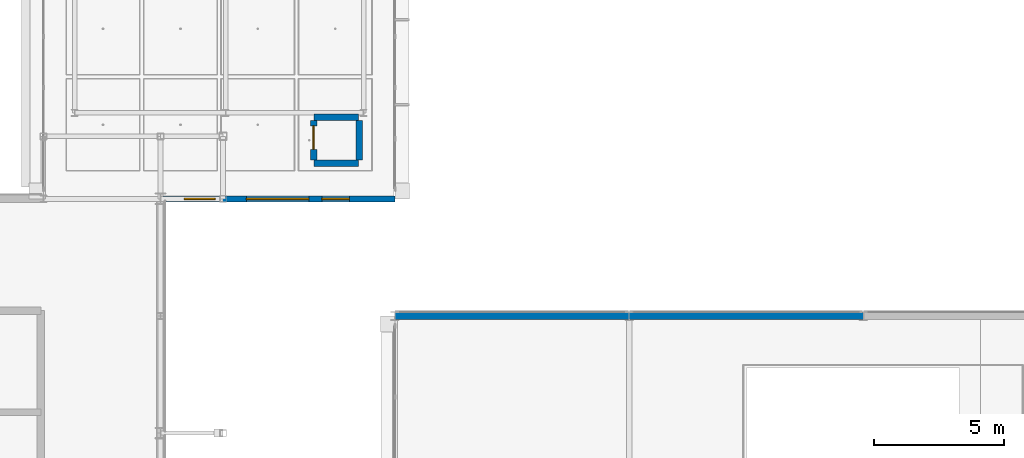
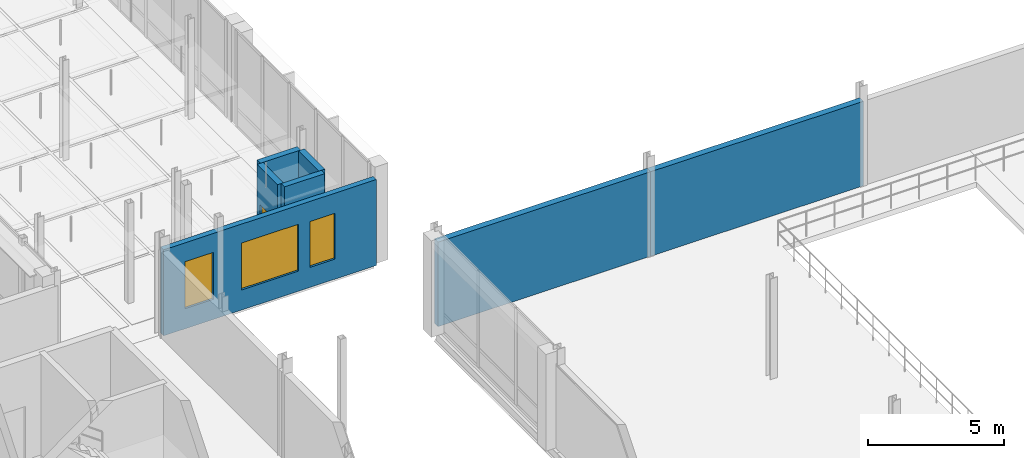
# One storey, part 70 of 130: 7 walls, 3 windows, 1 door, 4 openings.
"""IFC4 building model written with IfcOpenShell, lengths in metres."""

from ifc_helpers import new_model, si_unit, direction, frame, frame_2d, origin, place, context, subcontext, project, spatial, rectangle, extrude, material, layer, layer_set, type_object, element, fill, save


model = new_model("IFC4")

# Units and contexts
model_context = context("Model", 3, precision=1e-05, world=origin(), true_north=direction((0.0, 1.0)))
body_context = subcontext(model_context, "Body", "Model", "MODEL_VIEW")
ifc_project = project(units=[si_unit("LENGTHUNIT", "METRE"), si_unit("AREAUNIT", "SQUARE_METRE"), si_unit("VOLUMEUNIT", "CUBIC_METRE"), si_unit("PLANEANGLEUNIT", "RADIAN"), si_unit("MASSUNIT", "GRAM", prefix="KILO"), si_unit("THERMODYNAMICTEMPERATUREUNIT", "KELVIN"), si_unit("POWERUNIT", "WATT")], contexts=[model_context])

# Site, building, storey
site_placement = place(None, origin())
site = spatial("IfcSite", under=ifc_project, at=site_placement, CompositionType="ELEMENT")
building_placement = place(site_placement, origin())
building = spatial("IfcBuilding", under=site, at=building_placement, Name="Tallowbark Science Centre", CompositionType="ELEMENT")
storey_placement = place(building_placement, frame((0.0, 0.0, 5.39990234375)))
storey = spatial("IfcBuildingStorey", under=building, at=storey_placement, Name="L01", CompositionType="ELEMENT", Elevation=5.39990234375)

# Wall, openings, windows
ifc_material_1 = material(Name="Hawkesbury Sandstone Faced Masonry Cavity Wall", Category="masonry")
ifc_layer_1 = layer(ifc_material_1, 0.22998046875)
ifc_layer_set_1 = layer_set([ifc_layer_1], Name="Hawkesbury Sandstone Faced Masonry Cavity Wall")
wall_type_1 = type_object("IfcWallType", Name="EWL-MAS-230", PredefinedType="STANDARD", material=ifc_layer_set_1)
wall_1_placement = place(storey_placement, frame((103.5, 40.5, 0.0), z_axis=(0.0, 0.0, 1.0), x_axis=(1.0, 0.0, 0.0)))
wall_1 = element("IfcWall", 1, at=wall_1_placement, inside=storey, type_object=wall_type_1, Name="Exterior Wall LNK-S-L01", PredefinedType="STANDARD", context=body_context, shape_type="SweptSolid", body=[
    extrude(rectangle(XDim=9.0, YDim=0.22998046875, at=frame_2d((4.5, 0.0))), origin(), (0.0, 0.0, 1.0), 3.84619140625),
])
opening_1_placement = place(wall_1_placement, frame((3.300048828125, 0.0, 0.89990234375)))
opening_1 = element("IfcOpeningElement", 2, at=opening_1_placement, cuts=wall_1, Name="Opening W-06", PredefinedType="OPENING", context=body_context, shape_type="SweptSolid", body=[
    extrude(rectangle(XDim=2.39990234375, YDim=2.10009765625, at=frame_2d((1.199951171875, 1.050048828125))), frame((0.0, 0.125, 0.0), z_axis=(0.0, -1.0, 0.0), x_axis=(1.0, 0.0, 0.0)), (0.0, 0.0, 1.0), 0.25),
])
opening_2_placement = place(wall_1_placement, frame((0.89990234375, 0.0, 0.89990234375)))
opening_2 = element("IfcOpeningElement", 3, at=opening_2_placement, cuts=wall_1, Name="Opening W-02", PredefinedType="OPENING", context=body_context, shape_type="SweptSolid", body=[
    extrude(rectangle(XDim=1.199951171875, YDim=2.10009765625, at=frame_2d((0.60009765625, 1.050048828125))), frame((0.0, 0.125, 0.0), z_axis=(0.0, -1.0, 0.0), x_axis=(1.0, 0.0, 0.0)), (0.0, 0.0, 1.0), 0.25),
])
opening_3_placement = place(wall_1_placement, frame((6.199951171875, 0.0, 0.89990234375)))
opening_3 = element("IfcOpeningElement", 4, at=opening_3_placement, cuts=wall_1, Name="Opening WS-02", PredefinedType="OPENING", context=body_context, shape_type="SweptSolid", body=[
    extrude(rectangle(XDim=1.050048828125, YDim=2.050048828125, at=frame_2d((0.52490234375, 1.02490234375))), frame((0.0, 0.125, 0.0), z_axis=(0.0, -1.0, 0.0), x_axis=(1.0, 0.0, 0.0)), (0.0, 0.0, 1.0), 0.25),
])
ifc_material_2 = material(Name="Thermally Broken Aluminium and Low-E Double Glazing", Category="aluminium")
window_type_1 = type_object("IfcWindowType", Name="WIN-F120x210", PartitioningType="SINGLE_PANEL", PredefinedType="WINDOW", material=ifc_material_2)
window_1_placement = place(opening_2_placement, origin())
window_1 = element("IfcWindow", 5, at=window_1_placement, inside=storey, type_object=window_type_1, Name="Window XOP-02", OverallHeight=2.10009765625, OverallWidth=1.199951171875, PartitioningType="SINGLE_PANEL", PredefinedType="WINDOW", context=body_context, shape_type="SweptSolid", body=[
    extrude(rectangle(XDim=1.199951171875, YDim=2.10009765625, at=frame_2d((0.60009765625, 1.050048828125))), frame((0.0, 0.030029296875, 0.0), z_axis=(0.0, -1.0, 0.0), x_axis=(1.0, 0.0, 0.0)), (0.0, 0.0, 1.0), 0.06005859375),
])
fill(opening_2, window_1)
window_type_2 = type_object("IfcWindowType", Name="WIN-F240x210", PartitioningType="SINGLE_PANEL", PredefinedType="WINDOW", material=ifc_material_2)
window_2_placement = place(opening_1_placement, origin())
window_2 = element("IfcWindow", 6, at=window_2_placement, inside=storey, type_object=window_type_2, Name="Window WIN-L01-0020", OverallHeight=2.10009765625, OverallWidth=2.39990234375, PartitioningType="SINGLE_PANEL", PredefinedType="WINDOW", context=body_context, shape_type="SweptSolid", body=[
    extrude(rectangle(XDim=2.39990234375, YDim=2.10009765625, at=frame_2d((1.199951171875, 1.050048828125))), frame((0.0, 0.030029296875, 0.0), z_axis=(0.0, -1.0, 0.0), x_axis=(1.0, 0.0, 0.0)), (0.0, 0.0, 1.0), 0.06005859375),
])
fill(opening_1, window_2)
window_type_3 = type_object("IfcWindowType", Name="WIN-SP-105x205", PartitioningType="SINGLE_PANEL", PredefinedType="WINDOW", material=ifc_material_2)
window_3_placement = place(opening_3_placement, origin())
window_3 = element("IfcWindow", 7, at=window_3_placement, inside=storey, type_object=window_type_3, Name="Acoustic Window WSP-02", OverallHeight=2.050048828125, OverallWidth=1.050048828125, PartitioningType="SINGLE_PANEL", PredefinedType="WINDOW", context=body_context, shape_type="SweptSolid", body=[
    extrude(rectangle(XDim=1.050048828125, YDim=2.050048828125, at=frame_2d((0.52490234375, 1.02490234375))), frame((0.0, 0.030029296875, 0.0), z_axis=(0.0, -1.0, 0.0), x_axis=(1.0, 0.0, 0.0)), (0.0, 0.0, 1.0), 0.06005859375),
])
fill(opening_3, window_3)

# Walls
ifc_material_3 = material(Name="Insulated Ribbed Precast Concrete Panel Grade N40 (40 MPa)", Category="concrete")
ifc_layer_2 = layer(ifc_material_3, 0.264892578125)
ifc_layer_set_2 = layer_set([ifc_layer_2], Name="Insulated Ribbed Precast Concrete Panel Grade N40 (40 MPa)")
wall_type_2 = type_object("IfcWallType", Name="EWL-PRC-265", PredefinedType="STANDARD", material=ifc_layer_set_2)
for number, where, z_axis, x_axis, name in (
    (8, (121.5, 36.0, 0.0), (0.0, 0.0, 1.0), (-1.0, 0.0, 0.0), "Exterior Wall THT-N-L01-0"),
    (9, (130.5, 36.0, 0.0), (0.0, 0.0, 1.0), (-1.0, 0.0, 0.0), "Exterior Wall THT-N-L01-1"),
):
    element("IfcWall", number, at=place(storey_placement, frame(where, z_axis=z_axis, x_axis=x_axis)), inside=storey, type_object=wall_type_2, Name=name, PredefinedType="STANDARD", context=body_context, shape_type="SweptSolid", body=[
        extrude(rectangle(XDim=9.0, YDim=0.264892578125, at=frame_2d((4.5, 0.0))), origin(), (0.0, 0.0, 1.0), 3.78125),
    ])
ifc_material_4 = material(Name="Concrete Grade N40 (40 MPa)", Category="concrete")
ifc_layer_3 = layer(ifc_material_4, 0.25)
ifc_layer_set_3 = layer_set([ifc_layer_3], Name="Concrete Grade N40 (40 MPa)")
wall_type_3 = type_object("IfcWallType", Name="WL-SHAFT-250", PredefinedType="SHEAR", material=ifc_layer_set_3)
for number, where, z_axis, x_axis, name in (
    (10, (109.39990234375, 41.875, 0.0), (0.0, 0.0, 1.0), (1.0, 0.0, 0.0), "Service Riser Shaft Wall RSR-LNK L01 S"),
    (11, (109.39990234375, 43.625, 0.0), (0.0, 0.0, 1.0), (1.0, 0.0, 0.0), "Service Riser Shaft Wall RSR-LNK L01 N"),
):
    element("IfcWall", number, at=place(storey_placement, frame(where, z_axis=z_axis, x_axis=x_axis)), inside=storey, type_object=wall_type_3, Name=name, PredefinedType="SHEAR", context=body_context, shape_type="SweptSolid", body=[
        extrude(rectangle(XDim=1.7001953125, YDim=0.25, at=frame_2d((0.85009765625, 0.0))), origin(), (0.0, 0.0, 1.0), 3.77001953125),
    ])

# Wall, opening, door
wall_2_placement = place(storey_placement, frame((109.375, 42.0, 0.0), z_axis=(0.0, 0.0, 1.0), x_axis=(0.0, 1.0, 0.0)))
wall_2 = element("IfcWall", 12, at=wall_2_placement, inside=storey, type_object=wall_type_3, Name="Service Riser Shaft Wall RSR-LNK L01 W", PredefinedType="SHEAR", context=body_context, shape_type="SweptSolid", body=[
    extrude(rectangle(XDim=1.5, YDim=0.25, at=frame_2d((0.75, 0.0))), origin(), (0.0, 0.0, 1.0), 3.77001953125),
])
opening_4_placement = place(wall_2_placement, frame((0.39990234375, 0.0, 0.0)))
opening_4 = element("IfcOpeningElement", 13, at=opening_4_placement, cuts=wall_2, Name="Opening FD-05", PredefinedType="OPENING", context=body_context, shape_type="SweptSolid", body=[
    extrude(rectangle(XDim=0.89990234375, YDim=2.10009765625, at=frame_2d((0.449951171875, 1.050048828125))), frame((0.0, 0.135009765625, 0.0), z_axis=(0.0, -1.0, 0.0), x_axis=(1.0, 0.0, 0.0)), (0.0, 0.0, 1.0), 0.27001953125),
])
ifc_material_5 = material(Name="Fire-Rated Riser Access Door")
door_type = type_object("IfcDoorType", Name="FDR-RIS-090", OperationType="NOTDEFINED", PredefinedType="DOOR", material=ifc_material_5)
door_placement = place(opening_4_placement, origin())
door = element("IfcDoor", 14, at=door_placement, inside=storey, type_object=door_type, Name="Service Riser Access Door 4", OperationType="SINGLE_SWING_RIGHT", OverallHeight=2.10009765625, OverallWidth=0.89990234375, PredefinedType="DOOR", context=body_context, shape_type="SweptSolid", body=[
    extrude(rectangle(XDim=0.89990234375, YDim=2.10009765625, at=frame_2d((0.449951171875, 1.050048828125))), frame((0.0, 0.02490234375, 0.0), z_axis=(0.0, -1.0, 0.0), x_axis=(1.0, 0.0, 0.0)), (0.0, 0.0, 1.0), 0.050048828125),
])
fill(opening_4, door)

# Wall
wall_3_placement = place(storey_placement, frame((111.125, 42.0, 0.0), z_axis=(0.0, 0.0, 1.0), x_axis=(0.0, 1.0, 0.0)))
element("IfcWall", 15, at=wall_3_placement, inside=storey, type_object=wall_type_3, Name="Service Riser Shaft Wall RSR-LNK L01 E", PredefinedType="SHEAR", context=body_context, shape_type="SweptSolid", body=[
    extrude(rectangle(XDim=1.5, YDim=0.25, at=frame_2d((0.75, 0.0))), origin(), (0.0, 0.0, 1.0), 3.77001953125),
])

save(model, "model.ifc")
